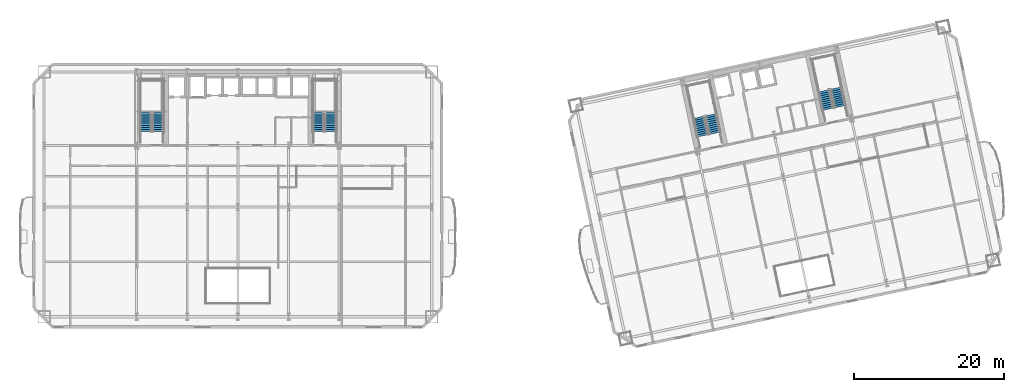
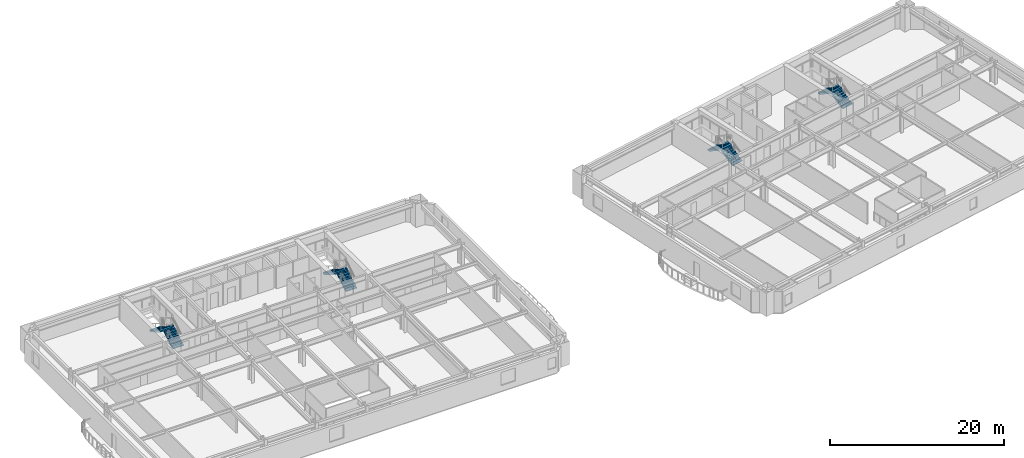
# One storey, part 9 of 16: 8 stair flights, 4 elements without a shape of their own.
"""IFC4 building model written with IfcOpenShell, lengths in metres."""

from ifc_helpers import new_model, si_unit, direction, frame, origin, place, context, subcontext, project, spatial, polyline, outline, extrude, material, type_object, element, aggregate, save


model = new_model("IFC4")

# Units and contexts
model_context = context("Model", 3, precision=1e-05, world=origin(), true_north=direction((0.0, 1.0)))
body_context = subcontext(model_context, "Body", "Model", "MODEL_VIEW")
ifc_project = project(units=[si_unit("LENGTHUNIT", "METRE"), si_unit("AREAUNIT", "SQUARE_METRE"), si_unit("VOLUMEUNIT", "CUBIC_METRE"), si_unit("PLANEANGLEUNIT", "RADIAN"), si_unit("MASSUNIT", "GRAM", prefix="KILO")], contexts=[model_context])

# Site, building, storey
site_placement = place(None, origin())
site = spatial("IfcSite", under=ifc_project, at=site_placement, CompositionType="ELEMENT")
building_placement = place(site_placement, origin())
building = spatial("IfcBuilding", under=site, at=building_placement, Name="Haevon Station Towers", CompositionType="ELEMENT")
storey_placement = place(building_placement, frame((0.0, 0.0, 43.800048828125)))
storey = spatial("IfcBuildingStorey", under=building, at=storey_placement, Name="L10", CompositionType="ELEMENT", Elevation=43.800048828125)

# Stair, stair flights
ifc_material = material(Name="Concrete C40/50", Category="concrete")
stair_type = type_object("IfcStairType", Name="STR-DL1450", PredefinedType="USERDEFINED", material=ifc_material)
stair_1_placement = place(storey_placement, origin())
stair_1 = element("IfcStair", 1, at=stair_1_placement, inside=storey, type_object=stair_type, Name="L10 Escape Stair ST1", ObjectType="TWO_RETURN_STAIR", PredefinedType="USERDEFINED")
stair_flight_type = type_object("IfcStairFlightType", Name="STF-ST1450", PredefinedType="STRAIGHT", material=ifc_material)
stair_flight_1_placement = place(storey_placement, frame((26.85498046875, 40.050048828125, 0.0), z_axis=(0.0, 0.0, 1.0), x_axis=(0.0, 1.0, 0.0)))
stair_flight_1 = element("IfcStairFlight", 2, at=stair_flight_1_placement, type_object=stair_flight_type, Name="L10 ST1 Flight 1", NumberOfRisers=10, NumberOfTreads=9, PredefinedType="STRAIGHT", RiserHeight=0.165, TreadLength=0.28, context=body_context, shape_type="SweptSolid", body=[
    extrude(outline(polyline([(0.0, 0.0), (0.0, 0.1650390625), (0.280029296875, 0.1650390625), (0.280029296875, 0.330078125), (0.56005859375, 0.330078125), (0.56005859375, 0.4951171875), (0.840087890625, 0.4951171875), (0.840087890625, 0.659912109375), (1.1201171875, 0.659912109375), (1.1201171875, 0.824951171875), (1.39990234375, 0.824951171875), (1.39990234375, 0.989990234375), (1.679931640625, 0.989990234375), (1.679931640625, 1.155029296875), (1.9599609375, 1.155029296875), (1.9599609375, 1.320068359375), (2.239990234375, 1.320068359375), (2.239990234375, 1.485107421875), (2.52001953125, 1.485107421875), (2.52001953125, 1.64990234375), (2.52001953125, 1.29931640625), (0.31494140625, 0.0), (0.0, 0.0)])), frame((0.0, 0.72509765625, 0.0), z_axis=(0.0, -1.0, 0.0), x_axis=(1.0, 0.0, 0.0)), (0.0, 0.0, 1.0), 1.449951171875),
])
stair_flight_2_placement = place(storey_placement, frame((25.205078125, 42.570068359375, 1.64990234375), z_axis=(0.0, 0.0, 1.0), x_axis=(0.0, -1.0, 0.0)))
stair_flight_2 = element("IfcStairFlight", 3, at=stair_flight_2_placement, type_object=stair_flight_type, Name="L10 ST1 Flight 2", NumberOfRisers=10, NumberOfTreads=9, PredefinedType="STRAIGHT", RiserHeight=0.165, TreadLength=0.28, context=body_context, shape_type="SweptSolid", body=[
    extrude(outline(polyline([(0.0, 0.0), (0.0, 0.1650390625), (0.280029296875, 0.1650390625), (0.280029296875, 0.330078125), (0.56005859375, 0.330078125), (0.56005859375, 0.4951171875), (0.840087890625, 0.4951171875), (0.840087890625, 0.659912109375), (1.1201171875, 0.659912109375), (1.1201171875, 0.824951171875), (1.39990234375, 0.824951171875), (1.39990234375, 0.989990234375), (1.679931640625, 0.989990234375), (1.679931640625, 1.155029296875), (1.9599609375, 1.155029296875), (1.9599609375, 1.320068359375), (2.239990234375, 1.320068359375), (2.239990234375, 1.485107421875), (2.52001953125, 1.485107421875), (2.52001953125, 1.64990234375), (2.52001953125, 1.29931640625), (0.31494140625, 0.0), (0.0, 0.0)])), frame((0.0, 0.72509765625, 0.0), z_axis=(0.0, -1.0, 0.0), x_axis=(1.0, 0.0, 0.0)), (0.0, 0.0, 1.0), 1.449951171875),
])
aggregate(stair_1, [stair_flight_1, stair_flight_2])

stair_2_placement = place(storey_placement, origin())
stair_2 = element("IfcStair", 4, at=stair_2_placement, inside=storey, type_object=stair_type, Name="L10 Escape Stair ST2", ObjectType="TWO_RETURN_STAIR", PredefinedType="USERDEFINED")
stair_flight_3_placement = place(storey_placement, frame((49.89501953125, 40.050048828125, 0.0), z_axis=(0.0, 0.0, 1.0), x_axis=(0.0, 1.0, 0.0)))
stair_flight_3 = element("IfcStairFlight", 5, at=stair_flight_3_placement, type_object=stair_flight_type, Name="L10 ST2 Flight 1", NumberOfRisers=10, NumberOfTreads=9, PredefinedType="STRAIGHT", RiserHeight=0.165, TreadLength=0.28, context=body_context, shape_type="SweptSolid", body=[
    extrude(outline(polyline([(0.0, 0.0), (0.0, 0.1650390625), (0.280029296875, 0.1650390625), (0.280029296875, 0.330078125), (0.56005859375, 0.330078125), (0.56005859375, 0.4951171875), (0.840087890625, 0.4951171875), (0.840087890625, 0.659912109375), (1.1201171875, 0.659912109375), (1.1201171875, 0.824951171875), (1.39990234375, 0.824951171875), (1.39990234375, 0.989990234375), (1.679931640625, 0.989990234375), (1.679931640625, 1.155029296875), (1.9599609375, 1.155029296875), (1.9599609375, 1.320068359375), (2.239990234375, 1.320068359375), (2.239990234375, 1.485107421875), (2.52001953125, 1.485107421875), (2.52001953125, 1.64990234375), (2.52001953125, 1.29931640625), (0.31494140625, 0.0), (0.0, 0.0)])), frame((0.0, 0.72509765625, 0.0), z_axis=(0.0, -1.0, 0.0), x_axis=(1.0, 0.0, 0.0)), (0.0, 0.0, 1.0), 1.449951171875),
])
stair_flight_4_placement = place(storey_placement, frame((48.2451171875, 42.570068359375, 1.64990234375), z_axis=(0.0, 0.0, 1.0), x_axis=(0.0, -1.0, 0.0)))
stair_flight_4 = element("IfcStairFlight", 6, at=stair_flight_4_placement, type_object=stair_flight_type, Name="L10 ST2 Flight 2", NumberOfRisers=10, NumberOfTreads=9, PredefinedType="STRAIGHT", RiserHeight=0.165, TreadLength=0.28, context=body_context, shape_type="SweptSolid", body=[
    extrude(outline(polyline([(0.0, 0.0), (0.0, 0.1650390625), (0.280029296875, 0.1650390625), (0.280029296875, 0.330078125), (0.56005859375, 0.330078125), (0.56005859375, 0.4951171875), (0.840087890625, 0.4951171875), (0.840087890625, 0.659912109375), (1.1201171875, 0.659912109375), (1.1201171875, 0.824951171875), (1.39990234375, 0.824951171875), (1.39990234375, 0.989990234375), (1.679931640625, 0.989990234375), (1.679931640625, 1.155029296875), (1.9599609375, 1.155029296875), (1.9599609375, 1.320068359375), (2.239990234375, 1.320068359375), (2.239990234375, 1.485107421875), (2.52001953125, 1.485107421875), (2.52001953125, 1.64990234375), (2.52001953125, 1.29931640625), (0.31494140625, 0.0), (0.0, 0.0)])), frame((0.0, 0.72509765625, 0.0), z_axis=(0.0, -1.0, 0.0), x_axis=(1.0, 0.0, 0.0)), (0.0, 0.0, 1.0), 1.449951171875),
])
aggregate(stair_2, [stair_flight_3, stair_flight_4])

stair_3_placement = place(storey_placement, origin())
stair_3 = element("IfcStair", 7, at=stair_3_placement, inside=storey, type_object=stair_type, Name="L10 Escape Stair ST3", ObjectType="TWO_RETURN_STAIR", PredefinedType="USERDEFINED")
stair_flight_5_placement = place(storey_placement, frame((101.1015625, 39.8330078125, 0.0), z_axis=(0.0, 0.0, 1.0), x_axis=(-0.207911690818, 0.978147600734, 0.0)))
stair_flight_5 = element("IfcStairFlight", 8, at=stair_flight_5_placement, type_object=stair_flight_type, Name="L10 ST3 Flight 1", NumberOfRisers=10, NumberOfTreads=9, PredefinedType="STRAIGHT", RiserHeight=0.165, TreadLength=0.28, context=body_context, shape_type="SweptSolid", body=[
    extrude(outline(polyline([(0.0, 0.0), (0.0, 0.1650390625), (0.280029296875, 0.1650390625), (0.280029296875, 0.330078125), (0.56005859375, 0.330078125), (0.56005859375, 0.4951171875), (0.840087890625, 0.4951171875), (0.840087890625, 0.659912109375), (1.1201171875, 0.659912109375), (1.1201171875, 0.824951171875), (1.39990234375, 0.824951171875), (1.39990234375, 0.989990234375), (1.679931640625, 0.989990234375), (1.679931640625, 1.155029296875), (1.9599609375, 1.155029296875), (1.9599609375, 1.320068359375), (2.239990234375, 1.320068359375), (2.239990234375, 1.485107421875), (2.52001953125, 1.485107421875), (2.52001953125, 1.64990234375), (2.52001953125, 1.29931640625), (0.31494140625, 0.0), (0.0, 0.0)])), frame((0.0, 0.72509765625, 0.0), z_axis=(0.0, -1.0, 0.0), x_axis=(1.0, 0.0, 0.0)), (0.0, 0.0, 1.0), 1.449951171875),
])
stair_flight_6_placement = place(storey_placement, frame((98.9638671875, 41.955078125, 1.64990234375), z_axis=(0.0, 0.0, 1.0), x_axis=(0.207911690818, -0.978147600734, 0.0)))
stair_flight_6 = element("IfcStairFlight", 9, at=stair_flight_6_placement, type_object=stair_flight_type, Name="L10 ST3 Flight 2", NumberOfRisers=10, NumberOfTreads=9, PredefinedType="STRAIGHT", RiserHeight=0.165, TreadLength=0.28, context=body_context, shape_type="SweptSolid", body=[
    extrude(outline(polyline([(0.0, 0.0), (0.0, 0.1650390625), (0.280029296875, 0.1650390625), (0.280029296875, 0.330078125), (0.56005859375, 0.330078125), (0.56005859375, 0.4951171875), (0.840087890625, 0.4951171875), (0.840087890625, 0.659912109375), (1.1201171875, 0.659912109375), (1.1201171875, 0.824951171875), (1.39990234375, 0.824951171875), (1.39990234375, 0.989990234375), (1.679931640625, 0.989990234375), (1.679931640625, 1.155029296875), (1.9599609375, 1.155029296875), (1.9599609375, 1.320068359375), (2.239990234375, 1.320068359375), (2.239990234375, 1.485107421875), (2.52001953125, 1.485107421875), (2.52001953125, 1.64990234375), (2.52001953125, 1.29931640625), (0.31494140625, 0.0), (0.0, 0.0)])), frame((0.0, 0.72509765625, 0.0), z_axis=(0.0, -1.0, 0.0), x_axis=(1.0, 0.0, 0.0)), (0.0, 0.0, 1.0), 1.449951171875),
])
aggregate(stair_3, [stair_flight_5, stair_flight_6])

stair_4_placement = place(storey_placement, origin())
stair_4 = element("IfcStair", 10, at=stair_4_placement, inside=storey, type_object=stair_type, Name="L10 Escape Stair ST4", ObjectType="TWO_RETURN_STAIR", PredefinedType="USERDEFINED")
stair_flight_7_placement = place(storey_placement, frame((117.788818359375, 43.380126953125, 0.0), z_axis=(0.0, 0.0, 1.0), x_axis=(-0.207911690818, 0.978147600734, 0.0)))
stair_flight_7 = element("IfcStairFlight", 11, at=stair_flight_7_placement, type_object=stair_flight_type, Name="L10 ST4 Flight 1", NumberOfRisers=10, NumberOfTreads=9, PredefinedType="STRAIGHT", RiserHeight=0.165, TreadLength=0.28, context=body_context, shape_type="SweptSolid", body=[
    extrude(outline(polyline([(0.0, 0.0), (0.0, 0.1650390625), (0.280029296875, 0.1650390625), (0.280029296875, 0.330078125), (0.56005859375, 0.330078125), (0.56005859375, 0.4951171875), (0.840087890625, 0.4951171875), (0.840087890625, 0.659912109375), (1.1201171875, 0.659912109375), (1.1201171875, 0.824951171875), (1.39990234375, 0.824951171875), (1.39990234375, 0.989990234375), (1.679931640625, 0.989990234375), (1.679931640625, 1.155029296875), (1.9599609375, 1.155029296875), (1.9599609375, 1.320068359375), (2.239990234375, 1.320068359375), (2.239990234375, 1.485107421875), (2.52001953125, 1.485107421875), (2.52001953125, 1.64990234375), (2.52001953125, 1.29931640625), (0.31494140625, 0.0), (0.0, 0.0)])), frame((0.0, 0.72509765625, 0.0), z_axis=(0.0, -1.0, 0.0), x_axis=(1.0, 0.0, 0.0)), (0.0, 0.0, 1.0), 1.449951171875),
])
stair_flight_8_placement = place(storey_placement, frame((115.65087890625, 45.501953125, 1.64990234375), z_axis=(0.0, 0.0, 1.0), x_axis=(0.207911690818, -0.978147600734, 0.0)))
stair_flight_8 = element("IfcStairFlight", 12, at=stair_flight_8_placement, type_object=stair_flight_type, Name="L10 ST4 Flight 2", NumberOfRisers=10, NumberOfTreads=9, PredefinedType="STRAIGHT", RiserHeight=0.165, TreadLength=0.28, context=body_context, shape_type="SweptSolid", body=[
    extrude(outline(polyline([(0.0, 0.0), (0.0, 0.1650390625), (0.280029296875, 0.1650390625), (0.280029296875, 0.330078125), (0.56005859375, 0.330078125), (0.56005859375, 0.4951171875), (0.840087890625, 0.4951171875), (0.840087890625, 0.659912109375), (1.1201171875, 0.659912109375), (1.1201171875, 0.824951171875), (1.39990234375, 0.824951171875), (1.39990234375, 0.989990234375), (1.679931640625, 0.989990234375), (1.679931640625, 1.155029296875), (1.9599609375, 1.155029296875), (1.9599609375, 1.320068359375), (2.239990234375, 1.320068359375), (2.239990234375, 1.485107421875), (2.52001953125, 1.485107421875), (2.52001953125, 1.64990234375), (2.52001953125, 1.29931640625), (0.31494140625, 0.0), (0.0, 0.0)])), frame((0.0, 0.72509765625, 0.0), z_axis=(0.0, -1.0, 0.0), x_axis=(1.0, 0.0, 0.0)), (0.0, 0.0, 1.0), 1.449951171875),
])
aggregate(stair_4, [stair_flight_7, stair_flight_8])

save(model, "model.ifc")
